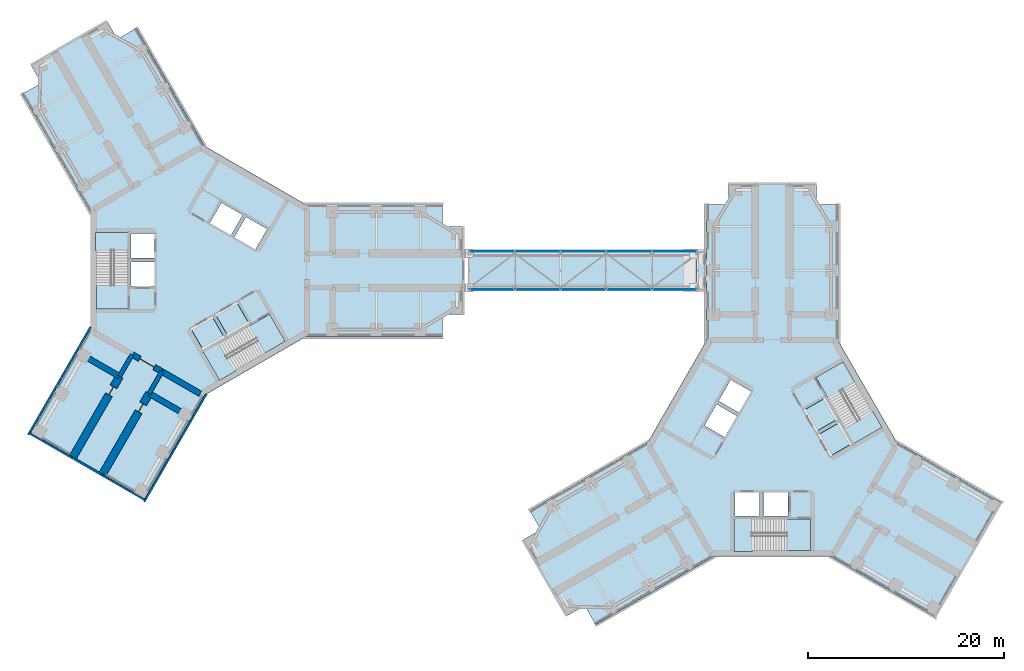
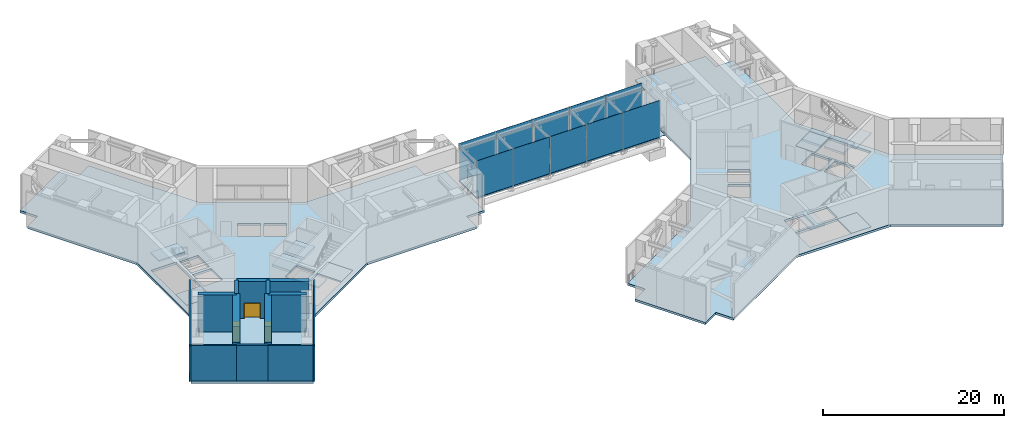
# One storey, part 6 of 15: 16 slabs, 13 walls, 10 plates, 3 doors, 3 openings, 6 elements without a shape of their own.
"""IFC4 building model written with IfcOpenShell, lengths in metres."""

from ifc_helpers import new_model, si_unit, direction, frame, frame_2d, origin, origin_2d, place, context, subcontext, project, spatial, polyline, rectangle, outline, extrude, material, layer, layer_set, type_object, element, fill, aggregate, save


model = new_model("IFC4")

# Units and contexts
model_context = context("Model", 3, precision=1e-05, world=origin(), true_north=direction((0.0, 1.0)))
body_context = subcontext(model_context, "Body", "Model", "MODEL_VIEW")
ifc_project = project(units=[si_unit("LENGTHUNIT", "METRE"), si_unit("AREAUNIT", "SQUARE_METRE"), si_unit("VOLUMEUNIT", "CUBIC_METRE"), si_unit("PLANEANGLEUNIT", "RADIAN"), si_unit("MASSUNIT", "GRAM", prefix="KILO")], contexts=[model_context])

# Site, building, storey
site_placement = place(None, origin())
site = spatial("IfcSite", under=ifc_project, at=site_placement, CompositionType="ELEMENT")
building_placement = place(site_placement, origin())
building = spatial("IfcBuilding", under=site, at=building_placement, Name="Upepo Twin Towers", CompositionType="ELEMENT")
storey_placement = place(building_placement, frame((0.0, 0.0, 165.5)))
storey = spatial("IfcBuildingStorey", under=building, at=storey_placement, Name="L40", CompositionType="ELEMENT", Elevation=165.5)

# Slab
ifc_material_1 = material(Name="Concrete C40/50 on steel deck", Category="concrete")
ifc_layer_1 = layer(ifc_material_1, 0.199951171875)
ifc_layer_set_1 = layer_set([ifc_layer_1], Name="Concrete C40/50 on steel deck")
slab_type_1 = type_object("IfcSlabType", Name="Bridge deck 200 composite", PredefinedType="FLOOR", material=ifc_layer_set_1)
slab_1_placement = place(storey_placement, frame((0.0, 0.0, -0.199951171875)))
element("IfcSlab", 1, at=slab_1_placement, inside=storey, type_object=slab_type_1, Name="BR2 deck slab", PredefinedType="FLOOR", context=body_context, shape_type="SweptSolid", body=[
    extrude(outline(polyline([(27.5, -2.0), (50.840087890625, -2.0), (50.840087890625, 2.0), (27.5, 2.0), (27.5, -2.0)])), origin(), (0.0, 0.0, 1.0), 0.199951171875),
])

# Curtain wall, plates
ifc_material_2 = material(Name="Aluminium and clear glass", Category="aluminium")
curtain_wall_type = type_object("IfcCurtainWallType", Name="Bridge curtain wall BW1", PredefinedType="NOTDEFINED", material=ifc_material_2)
curtain_wall_1_placement = place(storey_placement, origin())
curtain_wall_1 = element("IfcCurtainWall", 2, at=curtain_wall_1_placement, inside=storey, type_object=curtain_wall_type, Name="BR2 curtain wall N", PredefinedType="NOTDEFINED")
ifc_material_3 = material(Name="Clear laminated glass", Category="glass")
ifc_layer_2 = layer(ifc_material_3, 0.028076171875)
ifc_layer_set_2 = layer_set([ifc_layer_2], Name="Clear glass panel, 28 mm double glazed")
plate_type = type_object("IfcPlateType", Name="Clear glass panel, 28 mm double glazed", PredefinedType="CURTAIN_PANEL", material=ifc_layer_set_2)
plate_1_placement = place(storey_placement, frame((48.48974609375, 1.93994140625, -0.080078125), z_axis=(0.0, 0.0, 1.0), x_axis=(-1.0, 0.0, 0.0)))
plate_1 = element("IfcPlate", 3, at=plate_1_placement, type_object=plate_type, Name="BR2 curtain wall N panel 1", PredefinedType="CURTAIN_PANEL", context=body_context, shape_type="SweptSolid", body=[
    extrude(rectangle(XDim=4.570556640625, YDim=0.031982421875, at=origin_2d()), origin(), (0.0, 0.0, 1.0), 5.030029296875),
])
plate_2_placement = place(storey_placement, frame((43.837890625, 1.93994140625, -0.080078125), z_axis=(0.0, 0.0, 1.0), x_axis=(-1.0, 0.0, 0.0)))
plate_2 = element("IfcPlate", 4, at=plate_2_placement, type_object=plate_type, Name="BR2 curtain wall N panel 2", PredefinedType="CURTAIN_PANEL", context=body_context, shape_type="SweptSolid", body=[
    extrude(rectangle(XDim=4.60302734375, YDim=0.031982421875, at=origin_2d()), origin(), (0.0, 0.0, 1.0), 5.030029296875),
])
plate_3_placement = place(storey_placement, frame((39.169921875, 1.93994140625, -0.080078125), z_axis=(0.0, 0.0, 1.0), x_axis=(-1.0, 0.0, 0.0)))
plate_3 = element("IfcPlate", 5, at=plate_3_placement, type_object=plate_type, Name="BR2 curtain wall N panel 3", PredefinedType="CURTAIN_PANEL", context=body_context, shape_type="SweptSolid", body=[
    extrude(rectangle(XDim=4.60302734375, YDim=0.031982421875, at=origin_2d()), origin(), (0.0, 0.0, 1.0), 5.030029296875),
])
plate_4_placement = place(storey_placement, frame((34.501953125, 1.93994140625, -0.080078125), z_axis=(0.0, 0.0, 1.0), x_axis=(-1.0, 0.0, 0.0)))
plate_4 = element("IfcPlate", 6, at=plate_4_placement, type_object=plate_type, Name="BR2 curtain wall N panel 4", PredefinedType="CURTAIN_PANEL", context=body_context, shape_type="SweptSolid", body=[
    extrude(rectangle(XDim=4.60302734375, YDim=0.031982421875, at=origin_2d()), origin(), (0.0, 0.0, 1.0), 5.030029296875),
])
plate_5_placement = place(storey_placement, frame((29.850341796875, 1.93994140625, -0.080078125), z_axis=(0.0, 0.0, 1.0), x_axis=(-1.0, 0.0, 0.0)))
plate_5 = element("IfcPlate", 7, at=plate_5_placement, type_object=plate_type, Name="BR2 curtain wall N panel 5", PredefinedType="CURTAIN_PANEL", context=body_context, shape_type="SweptSolid", body=[
    extrude(rectangle(XDim=4.570556640625, YDim=0.031982421875, at=origin_2d()), origin(), (0.0, 0.0, 1.0), 5.030029296875),
])
aggregate(curtain_wall_1, [plate_1, plate_2, plate_3, plate_4, plate_5])

curtain_wall_2_placement = place(storey_placement, origin())
curtain_wall_2 = element("IfcCurtainWall", 8, at=curtain_wall_2_placement, inside=storey, type_object=curtain_wall_type, Name="BR2 curtain wall S", PredefinedType="NOTDEFINED")
plate_6_placement = place(storey_placement, frame((29.850341796875, -1.93994140625, -0.080078125), z_axis=(0.0, 0.0, 1.0), x_axis=(1.0, 0.0, 0.0)))
plate_6 = element("IfcPlate", 9, at=plate_6_placement, type_object=plate_type, Name="BR2 curtain wall S panel 1", PredefinedType="CURTAIN_PANEL", context=body_context, shape_type="SweptSolid", body=[
    extrude(rectangle(XDim=4.570556640625, YDim=0.031982421875, at=origin_2d()), origin(), (0.0, 0.0, 1.0), 5.030029296875),
])
plate_7_placement = place(storey_placement, frame((34.501953125, -1.93994140625, -0.080078125), z_axis=(0.0, 0.0, 1.0), x_axis=(1.0, 0.0, 0.0)))
plate_7 = element("IfcPlate", 10, at=plate_7_placement, type_object=plate_type, Name="BR2 curtain wall S panel 2", PredefinedType="CURTAIN_PANEL", context=body_context, shape_type="SweptSolid", body=[
    extrude(rectangle(XDim=4.60302734375, YDim=0.031982421875, at=origin_2d()), origin(), (0.0, 0.0, 1.0), 5.030029296875),
])
plate_8_placement = place(storey_placement, frame((39.169921875, -1.93994140625, -0.080078125), z_axis=(0.0, 0.0, 1.0), x_axis=(1.0, 0.0, 0.0)))
plate_8 = element("IfcPlate", 11, at=plate_8_placement, type_object=plate_type, Name="BR2 curtain wall S panel 3", PredefinedType="CURTAIN_PANEL", context=body_context, shape_type="SweptSolid", body=[
    extrude(rectangle(XDim=4.60302734375, YDim=0.031982421875, at=origin_2d()), origin(), (0.0, 0.0, 1.0), 5.030029296875),
])
plate_9_placement = place(storey_placement, frame((43.837890625, -1.93994140625, -0.080078125), z_axis=(0.0, 0.0, 1.0), x_axis=(1.0, 0.0, 0.0)))
plate_9 = element("IfcPlate", 12, at=plate_9_placement, type_object=plate_type, Name="BR2 curtain wall S panel 4", PredefinedType="CURTAIN_PANEL", context=body_context, shape_type="SweptSolid", body=[
    extrude(rectangle(XDim=4.60302734375, YDim=0.031982421875, at=origin_2d()), origin(), (0.0, 0.0, 1.0), 5.030029296875),
])
plate_10_placement = place(storey_placement, frame((48.48974609375, -1.93994140625, -0.080078125), z_axis=(0.0, 0.0, 1.0), x_axis=(1.0, 0.0, 0.0)))
plate_10 = element("IfcPlate", 13, at=plate_10_placement, type_object=plate_type, Name="BR2 curtain wall S panel 5", PredefinedType="CURTAIN_PANEL", context=body_context, shape_type="SweptSolid", body=[
    extrude(rectangle(XDim=4.570556640625, YDim=0.031982421875, at=origin_2d()), origin(), (0.0, 0.0, 1.0), 5.030029296875),
])
aggregate(curtain_wall_2, [plate_6, plate_7, plate_8, plate_9, plate_10])

# Slabs
ifc_material_4 = material(Name="Steel chequer plate S275", Category="steel")
ifc_layer_3 = layer(ifc_material_4, 0.02001953125)
ifc_layer_set_3 = layer_set([ifc_layer_3], Name="Steel chequer plate S275")
slab_type_2 = type_object("IfcSlabType", Name="Expansion joint cover plate 20 steel", PredefinedType="USERDEFINED", material=ifc_layer_set_3)
slab_2_placement = place(storey_placement, origin())
element("IfcSlab", 14, at=slab_2_placement, inside=storey, type_object=slab_type_2, Name="BR2 movement joint cover plate at T2", ObjectType="COVER PLATE", PredefinedType="USERDEFINED", context=body_context, shape_type="SweptSolid", body=[
    extrude(outline(polyline([(50.68994140625, -1.949951171875), (51.544921875, -1.949951171875), (51.544921875, 1.949951171875), (50.68994140625, 1.949951171875), (50.68994140625, -1.949951171875)])), origin(), (0.0, 0.0, 1.0), 0.02001953125),
])
ifc_material_5 = material(Name="Concrete C40/50", Category="concrete")
ifc_layer_4 = layer(ifc_material_5, 0.300048828125)
ifc_layer_set_4 = layer_set([ifc_layer_4], Name="Concrete C40/50")
slab_type_3 = type_object("IfcSlabType", Name="Lift pit base 300 RC", PredefinedType="USERDEFINED", material=ifc_layer_set_4)
slab_3_placement = place(storey_placement, frame((0.0, 0.0, 3.10009765625)))
element("IfcSlab", 15, at=slab_3_placement, inside=storey, type_object=slab_type_3, Name="T1 lift UL1 pit base", ObjectType="LIFT PIT BASE", PredefinedType="USERDEFINED", context=body_context, shape_type="SweptSolid", body=[
    extrude(outline(polyline([(-0.94091796875, -5.97021484375), (0.259033203125, -8.048828125), (2.424072265625, -6.798828125), (1.22412109375, -4.72021484375), (-0.94091796875, -5.97021484375)])), origin(), (0.0, 0.0, 1.0), 0.2998046875),
])
slab_4_placement = place(storey_placement, frame((0.0, 0.0, 3.10009765625)))
element("IfcSlab", 16, at=slab_4_placement, inside=storey, type_object=slab_type_3, Name="T1 lift UL2 pit base", ObjectType="LIFT PIT BASE", PredefinedType="USERDEFINED", context=body_context, shape_type="SweptSolid", body=[
    extrude(outline(polyline([(1.570556640625, -4.520263671875), (2.7705078125, -6.598876953125), (4.935546875, -5.348876953125), (3.735595703125, -3.270263671875), (1.570556640625, -4.520263671875)])), origin(), (0.0, 0.0, 1.0), 0.2998046875),
])
slab_5_placement = place(storey_placement, frame((0.0, 0.0, 3.10009765625)))
element("IfcSlab", 17, at=slab_5_placement, inside=storey, type_object=slab_type_3, Name="T2 lift UL1 pit base", ObjectType="LIFT PIT BASE", PredefinedType="USERDEFINED", context=body_context, shape_type="SweptSolid", body=[
    extrude(outline(polyline([(64.47021484375, -18.94091796875), (66.548828125, -17.740966796875), (65.298828125, -15.575927734375), (63.22021484375, -16.77587890625), (64.47021484375, -18.94091796875)])), origin(), (0.0, 0.0, 1.0), 0.2998046875),
])
slab_6_placement = place(storey_placement, frame((0.0, 0.0, 3.10009765625)))
element("IfcSlab", 18, at=slab_6_placement, inside=storey, type_object=slab_type_3, Name="T2 lift UL2 pit base", ObjectType="LIFT PIT BASE", PredefinedType="USERDEFINED", context=body_context, shape_type="SweptSolid", body=[
    extrude(outline(polyline([(63.020263671875, -16.429443359375), (65.098876953125, -15.2294921875), (63.848876953125, -13.064453125), (61.770263671875, -14.264404296875), (63.020263671875, -16.429443359375)])), origin(), (0.0, 0.0, 1.0), 0.2998046875),
])
ifc_material_6 = material(Name="Concrete C40/50", Category="concrete")
ifc_layer_5 = layer(ifc_material_6, 0.300048828125)
ifc_layer_set_5 = layer_set([ifc_layer_5], Name="Concrete C40/50")
slab_type_4 = type_object("IfcSlabType", Name="Refuge and plant floor slab 300 RC", PredefinedType="FLOOR", material=ifc_layer_set_5)
slab_7_placement = place(storey_placement, frame((0.0, 0.0, -0.300048828125)))
element("IfcSlab", 19, at=slab_7_placement, inside=storey, type_object=slab_type_4, Name="T1 L40 floor slab", PredefinedType="FLOOR", context=body_context, shape_type="SweptSolid", body=[
    extrude(outline(polyline([(-17.470703125, -16.760009765625), (-11.25830078125, -6.0), (-11.25830078125, 6.0), (-18.220703125, 18.05908203125), (-16.272216796875, 19.18408203125), (-17.397216796875, 21.132568359375), (-9.602783203125, 25.632568359375), (-8.477783203125, 23.68408203125), (-6.529296875, 24.80908203125), (0.43310546875, 12.75), (10.825439453125, 6.75), (24.75, 6.75), (24.75, 4.5), (27.0, 4.5), (27.0, -4.5), (24.75, -4.5), (24.75, -6.75), (10.825439453125, -6.75), (0.43310546875, -12.75), (-5.779296875, -23.510009765625), (-17.470703125, -16.760009765625)]), holes=[polyline([(5.640869140625, 2.17041015625), (6.8408203125, 4.248779296875), (4.67578125, 5.498779296875), (3.475830078125, 3.42041015625), (5.640869140625, 2.17041015625)]), polyline([(3.12939453125, 3.620361328125), (4.329345703125, 5.69873046875), (2.164306640625, 6.94873046875), (0.96435546875, 4.870361328125), (3.12939453125, 3.620361328125)]), polyline([(-4.699951171875, 3.800048828125), (-7.10009765625, 3.800048828125), (-7.10009765625, 1.300048828125), (-4.699951171875, 1.300048828125), (-4.699951171875, 3.800048828125)]), polyline([(-4.699951171875, 0.89990234375), (-7.10009765625, 0.89990234375), (-7.10009765625, -1.60009765625), (-4.699951171875, -1.60009765625), (-4.699951171875, 0.89990234375)]), polyline([(-7.39990234375, 3.89990234375), (-10.6083984375, 3.89990234375), (-10.6083984375, -3.89990234375), (-7.39990234375, -3.89990234375), (-7.39990234375, 3.89990234375)]), polyline([(-0.94091796875, -5.97021484375), (0.259033203125, -8.048828125), (2.424072265625, -6.798828125), (1.22412109375, -4.72021484375), (-0.94091796875, -5.97021484375)]), polyline([(1.570556640625, -4.520263671875), (2.7705078125, -6.598876953125), (4.935546875, -5.348876953125), (3.735595703125, -3.270263671875), (1.570556640625, -4.520263671875)]), polyline([(0.322509765625, -8.358642578125), (1.9267578125, -11.136962890625), (8.681640625, -7.237060546875), (7.077392578125, -4.45849609375), (0.322509765625, -8.358642578125)])]), origin(), (0.0, 0.0, 1.0), 0.300048828125),
])
slab_8_placement = place(storey_placement, frame((0.0, 0.0, -0.300048828125)))
element("IfcSlab", 20, at=slab_8_placement, inside=storey, type_object=slab_type_4, Name="T2 L40 floor slab", PredefinedType="FLOOR", context=body_context, shape_type="SweptSolid", body=[
    extrude(outline(polyline([(75.260009765625, -35.470703125), (64.5, -29.25830078125), (52.5, -29.25830078125), (40.44091796875, -36.220703125), (39.31591796875, -34.272216796875), (37.367431640625, -35.397216796875), (32.867431640625, -27.602783203125), (34.81591796875, -26.477783203125), (33.69091796875, -24.529296875), (45.75, -17.56689453125), (51.75, -7.174560546875), (51.75, 6.75), (54.0, 6.75), (54.0, 9.0), (63.0, 9.0), (63.0, 6.75), (65.25, 6.75), (65.25, -7.174560546875), (71.25, -17.56689453125), (82.010009765625, -23.779296875), (75.260009765625, -35.470703125)]), holes=[polyline([(56.32958984375, -12.359130859375), (54.251220703125, -11.1591796875), (53.001220703125, -13.32421875), (55.07958984375, -14.524169921875), (56.32958984375, -12.359130859375)]), polyline([(54.879638671875, -14.87060546875), (52.80126953125, -13.670654296875), (51.55126953125, -15.835693359375), (53.629638671875, -17.03564453125), (54.879638671875, -14.87060546875)]), polyline([(54.699951171875, -22.699951171875), (54.699951171875, -25.10009765625), (57.199951171875, -25.10009765625), (57.199951171875, -22.699951171875), (54.699951171875, -22.699951171875)]), polyline([(57.60009765625, -22.699951171875), (57.60009765625, -25.10009765625), (60.10009765625, -25.10009765625), (60.10009765625, -22.699951171875), (57.60009765625, -22.699951171875)]), polyline([(54.60009765625, -25.39990234375), (54.60009765625, -28.6083984375), (62.39990234375, -28.6083984375), (62.39990234375, -25.39990234375), (54.60009765625, -25.39990234375)]), polyline([(64.47021484375, -18.94091796875), (66.548828125, -17.740966796875), (65.298828125, -15.575927734375), (63.22021484375, -16.77587890625), (64.47021484375, -18.94091796875)]), polyline([(63.020263671875, -16.429443359375), (65.098876953125, -15.2294921875), (63.848876953125, -13.064453125), (61.770263671875, -14.264404296875), (63.020263671875, -16.429443359375)]), polyline([(66.858642578125, -17.677490234375), (69.636962890625, -16.0732421875), (65.737060546875, -9.318359375), (62.95849609375, -10.922607421875), (66.858642578125, -17.677490234375)])]), origin(), (0.0, 0.0, 1.0), 0.300048828125),
])

# Stair, slabs
ifc_material_7 = material(Name="Concrete C40/50", Category="concrete")
stair_type = type_object("IfcStairType", Name="Core stair, two flights", PredefinedType="HALF_TURN_STAIR", material=ifc_material_7)
stair_1_placement = place(storey_placement, origin())
stair_1 = element("IfcStair", 21, at=stair_1_placement, inside=storey, type_object=stair_type, Name="T1 stair S1 L40", PredefinedType="HALF_TURN_STAIR")
ifc_material_8 = material(Name="Concrete C40/50", Category="concrete")
ifc_layer_6 = layer(ifc_material_8, 0.199951171875)
ifc_layer_set_6 = layer_set([ifc_layer_6], Name="Concrete C40/50")
slab_type_5 = type_object("IfcSlabType", Name="Stair landing 200 RC", PredefinedType="LANDING", material=ifc_layer_set_6)
slab_9_placement = place(storey_placement, frame((0.0, 0.0, -0.199951171875)))
slab_9 = element("IfcSlab", 22, at=slab_9_placement, type_object=slab_type_5, Name="Stair S1 landing 1", PredefinedType="LANDING", context=body_context, shape_type="SweptSolid", body=[
    extrude(outline(polyline([(-7.39990234375, -1.419921875), (-10.6083984375, -1.419921875), (-10.6083984375, -3.89990234375), (-7.39990234375, -3.89990234375), (-7.39990234375, -1.419921875)])), origin(), (0.0, 0.0, 1.0), 0.199951171875),
])
slab_10_placement = place(storey_placement, frame((0.0, 0.0, 2.300048828125)))
slab_10 = element("IfcSlab", 23, at=slab_10_placement, type_object=slab_type_5, Name="Stair S1 landing 2", PredefinedType="LANDING", context=body_context, shape_type="SweptSolid", body=[
    extrude(outline(polyline([(-7.300048828125, 3.89990234375), (-10.708251953125, 3.89990234375), (-10.708251953125, 2.02001953125), (-7.300048828125, 2.02001953125), (-7.300048828125, 3.89990234375)])), origin(), (0.0, 0.0, 1.0), 0.199951171875),
])
aggregate(stair_1, [slab_9, slab_10])

stair_2_placement = place(storey_placement, origin())
stair_2 = element("IfcStair", 24, at=stair_2_placement, inside=storey, type_object=stair_type, Name="T1 stair S2 L40", PredefinedType="HALF_TURN_STAIR")
slab_11_placement = place(storey_placement, frame((0.0, 0.0, -0.199951171875)))
slab_11 = element("IfcSlab", 25, at=slab_11_placement, type_object=slab_type_5, Name="Stair S2 landing 1", PredefinedType="LANDING", context=body_context, shape_type="SweptSolid", body=[
    extrude(outline(polyline([(4.9296875, -5.698486328125), (6.533935546875, -8.47705078125), (8.681640625, -7.237060546875), (7.077392578125, -4.45849609375), (4.9296875, -5.698486328125)])), origin(), (0.0, 0.0, 1.0), 0.199951171875),
])
slab_12_placement = place(storey_placement, frame((0.0, 0.0, 2.300048828125)))
slab_12 = element("IfcSlab", 26, at=slab_12_placement, type_object=slab_type_5, Name="Stair S2 landing 2", PredefinedType="LANDING", context=body_context, shape_type="SweptSolid", body=[
    extrude(outline(polyline([(0.2724609375, -8.27197265625), (1.9765625, -11.2236328125), (3.604736328125, -10.28369140625), (1.900634765625, -7.33203125), (0.2724609375, -8.27197265625)])), origin(), (0.0, 0.0, 1.0), 0.199951171875),
])
aggregate(stair_2, [slab_11, slab_12])

stair_3_placement = place(storey_placement, origin())
stair_3 = element("IfcStair", 27, at=stair_3_placement, inside=storey, type_object=stair_type, Name="T2 stair S1 L40", PredefinedType="HALF_TURN_STAIR")
slab_13_placement = place(storey_placement, frame((0.0, 0.0, -0.199951171875)))
slab_13 = element("IfcSlab", 28, at=slab_13_placement, type_object=slab_type_5, Name="Stair S1 landing 1", PredefinedType="LANDING", context=body_context, shape_type="SweptSolid", body=[
    extrude(outline(polyline([(59.919921875, -25.39990234375), (59.919921875, -28.6083984375), (62.39990234375, -28.6083984375), (62.39990234375, -25.39990234375), (59.919921875, -25.39990234375)])), origin(), (0.0, 0.0, 1.0), 0.199951171875),
])
slab_14_placement = place(storey_placement, frame((0.0, 0.0, 2.300048828125)))
slab_14 = element("IfcSlab", 29, at=slab_14_placement, type_object=slab_type_5, Name="Stair S1 landing 2", PredefinedType="LANDING", context=body_context, shape_type="SweptSolid", body=[
    extrude(outline(polyline([(54.60009765625, -25.300048828125), (54.60009765625, -28.708251953125), (56.47998046875, -28.708251953125), (56.47998046875, -25.300048828125), (54.60009765625, -25.300048828125)])), origin(), (0.0, 0.0, 1.0), 0.199951171875),
])
aggregate(stair_3, [slab_13, slab_14])

stair_4_placement = place(storey_placement, origin())
stair_4 = element("IfcStair", 30, at=stair_4_placement, inside=storey, type_object=stair_type, Name="T2 stair S2 L40", PredefinedType="HALF_TURN_STAIR")
slab_15_placement = place(storey_placement, frame((0.0, 0.0, -0.199951171875)))
slab_15 = element("IfcSlab", 31, at=slab_15_placement, type_object=slab_type_5, Name="Stair S2 landing 1", PredefinedType="LANDING", context=body_context, shape_type="SweptSolid", body=[
    extrude(outline(polyline([(64.198486328125, -13.0703125), (66.97705078125, -11.466064453125), (65.737060546875, -9.318359375), (62.95849609375, -10.922607421875), (64.198486328125, -13.0703125)])), origin(), (0.0, 0.0, 1.0), 0.199951171875),
])
slab_16_placement = place(storey_placement, frame((0.0, 0.0, 2.300048828125)))
slab_16 = element("IfcSlab", 32, at=slab_16_placement, type_object=slab_type_5, Name="Stair S2 landing 2", PredefinedType="LANDING", context=body_context, shape_type="SweptSolid", body=[
    extrude(outline(polyline([(66.77197265625, -17.7275390625), (69.7236328125, -16.0234375), (68.78369140625, -14.395263671875), (65.83203125, -16.099365234375), (66.77197265625, -17.7275390625)])), origin(), (0.0, 0.0, 1.0), 0.199951171875),
])
aggregate(stair_4, [slab_15, slab_16])

# Walls
ifc_material_9 = material(Name="Precast concrete breeze blocks", Category="concrete")
ifc_layer_7 = layer(ifc_material_9, 0.199951171875)
ifc_layer_set_7 = layer_set([ifc_layer_7], Name="Breeze-block screen wall 200")
wall_type_1 = type_object("IfcWallType", Name="Breeze-block screen wall 200", PredefinedType="USERDEFINED", material=ifc_layer_set_7)
for number, where, z_axis, x_axis, name in (
    (33, (0.638671875, -12.59375, 0.0), (0.0, 0.0, 1.0), (-0.499994566336, -0.866028540889, 0.0), "T1 L40 wing C screen L"),
    (34, (-17.607177734375, -16.796630859375, 0.0), (0.0, 0.0, 1.0), (0.499994566336, 0.866028540889, 0.0), "T1 L40 wing C screen R"),
):
    element("IfcWall", number, at=place(storey_placement, frame(where, z_axis=z_axis, x_axis=x_axis)), inside=storey, type_object=wall_type_1, Name=name, ObjectType="SCREEN", PredefinedType="USERDEFINED", context=body_context, shape_type="SweptSolid", body=[
        extrude(rectangle(XDim=12.762939453125, YDim=0.199951171875, at=frame_2d((6.38134765625, 0.0))), origin(), (0.0, 0.0, 1.0), 4.800048828125),
    ])
wall_1_placement = place(storey_placement, frame((-17.593994140625, -16.573486328125, 0.0), z_axis=(0.0, 0.0, 1.0), x_axis=(0.866021400173, -0.500006934395, 0.0)))
element("IfcWall", 35, at=wall_1_placement, inside=storey, type_object=wall_type_1, Name="T1 L40 wing C nose screen 0", ObjectType="SCREEN", PredefinedType="USERDEFINED", context=body_context, shape_type="SweptSolid", body=[
    extrude(rectangle(XDim=5.2001953125, YDim=0.199951171875, at=frame_2d((2.60009765625, 0.0))), origin(), (0.0, 0.0, 1.0), 4.800048828125),
])
wall_2_placement = place(storey_placement, frame((-10.0595703125, -20.923583984375, 0.0), z_axis=(0.0, 0.0, 1.0), x_axis=(0.866041729639, -0.499971721724, 0.0)))
element("IfcWall", 36, at=wall_2_placement, inside=storey, type_object=wall_type_1, Name="T1 L40 wing C nose screen 2", ObjectType="SCREEN", PredefinedType="USERDEFINED", context=body_context, shape_type="SweptSolid", body=[
    extrude(rectangle(XDim=5.199951171875, YDim=0.199951171875, at=frame_2d((2.60009765625, 0.0))), origin(), (0.0, 0.0, 1.0), 4.800048828125),
])
ifc_material_10 = material(Name="Concrete C60/75", Category="concrete")
ifc_layer_8 = layer(ifc_material_10, 0.449951171875)
ifc_layer_set_8 = layer_set([ifc_layer_8], Name="Concrete C60/75")
wall_type_2 = type_object("IfcWallType", Name="Buttress wall 450 RC", PredefinedType="SHEAR", material=ifc_layer_set_8)
for number, where, z_axis, x_axis, name in (
    (37, (-3.938720703125, -10.32177734375, 0.0), (0.0, 0.0, 1.0), (-0.499918158782, -0.866072649678, 0.0), "T1 wing C buttress wall L"),
    (38, (-6.9697265625, -8.57177734375, 0.0), (0.0, 0.0, 1.0), (-0.499988811324, -0.866031863473, 0.0), "T1 wing C buttress wall R"),
):
    element("IfcWall", number, at=place(storey_placement, frame(where, z_axis=z_axis, x_axis=x_axis)), inside=storey, type_object=wall_type_2, Name=name, PredefinedType="SHEAR", context=body_context, shape_type="SweptSolid", body=[
        extrude(rectangle(XDim=2.591796875, YDim=0.449951171875, at=frame_2d((1.2958984375, 0.0))), origin(), (0.0, 0.0, 1.0), 5.0),
    ])

# Wall, opening, door
ifc_material_11 = material(Name="Concrete C60/75", Category="concrete")
ifc_layer_9 = layer(ifc_material_11, 0.800048828125)
ifc_layer_set_9 = layer_set([ifc_layer_9], Name="Concrete C60/75")
wall_type_3 = type_object("IfcWallType", Name="Buttress wall 800 RC", PredefinedType="SHEAR", material=ifc_layer_set_9)
wall_3_placement = place(storey_placement, frame((-5.234375, -12.56640625, 0.0), z_axis=(0.0, 0.0, 1.0), x_axis=(-0.499997557548, -0.86602681393, 0.0)))
wall_3 = element("IfcWall", 39, at=wall_3_placement, inside=storey, type_object=wall_type_3, Name="T1 wing C buttress wall L part 2", PredefinedType="SHEAR", context=body_context, shape_type="SweptSolid", body=[
    extrude(rectangle(XDim=9.5, YDim=0.800048828125, at=frame_2d((4.75, 0.0))), origin(), (0.0, 0.0, 1.0), 5.0),
])
opening_1_placement = place(wall_3_placement, frame((1.199951171875, 0.0, 0.0)))
opening_1 = element("IfcOpeningElement", 40, at=opening_1_placement, cuts=wall_3, Name="Opening D1", PredefinedType="OPENING", context=body_context, shape_type="SweptSolid", body=[
    extrude(rectangle(XDim=1.0, YDim=2.10009765625, at=frame_2d((0.5, 1.050048828125))), frame((0.0, 0.409912109375, 0.0), z_axis=(0.0, -1.0, 0.0), x_axis=(1.0, 0.0, 0.0)), (0.0, 0.0, 1.0), 0.820068359375),
])
ifc_material_12 = material(Name="Timber doorset", Category="wood")
door_type_1 = type_object("IfcDoorType", Name="Room door 1000 FD30", OperationType="SINGLE_SWING_LEFT", PredefinedType="DOOR", material=ifc_material_12)
door_1_placement = place(opening_1_placement, origin())
door_1 = element("IfcDoor", 41, at=door_1_placement, inside=storey, type_object=door_type_1, Name="T1 L40 refuge area door", OperationType="SINGLE_SWING_LEFT", OverallHeight=2.10009765625, OverallWidth=1.0, PredefinedType="DOOR", context=body_context, shape_type="SweptSolid", body=[
    extrude(rectangle(XDim=0.92, YDim=2.06009765625, at=frame_2d((0.5, 1.030029296875))), frame((0.0, 0.02490234375, 0.0), z_axis=(0.0, -1.0, 0.0), x_axis=(1.0, 0.0, 0.0)), (0.0, 0.0, 1.0), 0.050048828125),
    extrude(rectangle(XDim=0.04, YDim=2.10009765625, at=frame_2d((0.02001953125, 1.050048828125))), frame((0.0, 0.39990234375, 0.0), z_axis=(0.0, -1.0, 0.0), x_axis=(1.0, 0.0, 0.0)), (0.0, 0.0, 1.0), 0.799560546875),
    extrude(rectangle(XDim=0.04, YDim=2.10009765625, at=frame_2d((0.97998046875, 1.050048828125))), frame((0.0, 0.39990234375, 0.0), z_axis=(0.0, -1.0, 0.0), x_axis=(1.0, 0.0, 0.0)), (0.0, 0.0, 1.0), 0.799560546875),
    extrude(rectangle(XDim=0.92, YDim=0.04, at=frame_2d((0.5, 2.080078125))), frame((0.0, 0.39990234375, 0.0), z_axis=(0.0, -1.0, 0.0), x_axis=(1.0, 0.0, 0.0)), (0.0, 0.0, 1.0), 0.799560546875),
])
fill(opening_1, door_1)

wall_4_placement = place(storey_placement, frame((-8.265625, -10.81640625, 0.0), z_axis=(0.0, 0.0, 1.0), x_axis=(-0.499997557548, -0.86602681393, 0.0)))
wall_4 = element("IfcWall", 42, at=wall_4_placement, inside=storey, type_object=wall_type_3, Name="T1 wing C buttress wall R part 2", PredefinedType="SHEAR", context=body_context, shape_type="SweptSolid", body=[
    extrude(rectangle(XDim=9.5, YDim=0.800048828125, at=frame_2d((4.75, 0.0))), origin(), (0.0, 0.0, 1.0), 5.0),
])
opening_2_placement = place(wall_4_placement, frame((1.199951171875, 0.0, 0.0)))
opening_2 = element("IfcOpeningElement", 43, at=opening_2_placement, cuts=wall_4, Name="Opening D1", PredefinedType="OPENING", context=body_context, shape_type="SweptSolid", body=[
    extrude(rectangle(XDim=1.0, YDim=2.10009765625, at=frame_2d((0.5, 1.050048828125))), frame((0.0, 0.409912109375, 0.0), z_axis=(0.0, -1.0, 0.0), x_axis=(1.0, 0.0, 0.0)), (0.0, 0.0, 1.0), 0.820068359375),
])
door_2_placement = place(opening_2_placement, origin())
door_2 = element("IfcDoor", 44, at=door_2_placement, inside=storey, type_object=door_type_1, Name="T1 L40 electrical switch room door", OperationType="SINGLE_SWING_LEFT", OverallHeight=2.10009765625, OverallWidth=1.0, PredefinedType="DOOR", context=body_context, shape_type="SweptSolid", body=[
    extrude(rectangle(XDim=0.92, YDim=2.06009765625, at=frame_2d((0.5, 1.030029296875))), frame((0.0, 0.02490234375, 0.0), z_axis=(0.0, -1.0, 0.0), x_axis=(1.0, 0.0, 0.0)), (0.0, 0.0, 1.0), 0.050048828125),
    extrude(rectangle(XDim=0.04, YDim=2.10009765625, at=frame_2d((0.02001953125, 1.050048828125))), frame((0.0, 0.39990234375, 0.0), z_axis=(0.0, -1.0, 0.0), x_axis=(1.0, 0.0, 0.0)), (0.0, 0.0, 1.0), 0.799560546875),
    extrude(rectangle(XDim=0.04, YDim=2.10009765625, at=frame_2d((0.97998046875, 1.050048828125))), frame((0.0, 0.39990234375, 0.0), z_axis=(0.0, -1.0, 0.0), x_axis=(1.0, 0.0, 0.0)), (0.0, 0.0, 1.0), 0.799560546875),
    extrude(rectangle(XDim=0.92, YDim=0.04, at=frame_2d((0.5, 2.080078125))), frame((0.0, 0.39990234375, 0.0), z_axis=(0.0, -1.0, 0.0), x_axis=(1.0, 0.0, 0.0)), (0.0, 0.0, 1.0), 0.799560546875),
])
fill(opening_2, door_2)

ifc_material_13 = material(Name="Concrete C60/75", Category="concrete")
ifc_layer_10 = layer(ifc_material_13, 0.60009765625)
ifc_layer_set_10 = layer_set([ifc_layer_10], Name="Concrete C60/75")
wall_type_4 = type_object("IfcWallType", Name="Core wall 600 RC", PredefinedType="SHEAR", material=ifc_layer_set_10)
wall_5_placement = place(storey_placement, frame((-6.9697265625, -8.57177734375, 0.0), z_axis=(0.0, 0.0, 1.0), x_axis=(0.866019471182, -0.500010275428, 0.0)))
wall_5 = element("IfcWall", 45, at=wall_5_placement, inside=storey, type_object=wall_type_4, Name="T1 core wall 240", PredefinedType="SHEAR", context=body_context, shape_type="SweptSolid", body=[
    extrude(rectangle(XDim=3.5, YDim=0.60009765625, at=frame_2d((1.75, 0.0))), origin(), (0.0, 0.0, 1.0), 5.0),
])
opening_3_placement = place(wall_5_placement, frame((0.85009765625, 0.0, 0.0)))
opening_3 = element("IfcOpeningElement", 46, at=opening_3_placement, cuts=wall_5, Name="Opening D2", PredefinedType="OPENING", context=body_context, shape_type="SweptSolid", body=[
    extrude(rectangle(XDim=1.800048828125, YDim=2.10009765625, at=frame_2d((0.89990234375, 1.050048828125))), frame((0.0, 0.31005859375, 0.0), z_axis=(0.0, -1.0, 0.0), x_axis=(1.0, 0.0, 0.0)), (0.0, 0.0, 1.0), 0.6201171875),
])
ifc_material_14 = material(Name="Timber doorset", Category="wood")
door_type_2 = type_object("IfcDoorType", Name="Corridor double door 1800 FD60", OperationType="DOUBLE_DOOR_DOUBLE_SWING", PredefinedType="DOOR", material=ifc_material_14)
door_3_placement = place(opening_3_placement, origin())
door_3 = element("IfcDoor", 47, at=door_3_placement, inside=storey, type_object=door_type_2, Name="T1 L40 wing C corridor door", OperationType="DOUBLE_DOOR_DOUBLE_SWING", OverallHeight=2.10009765625, OverallWidth=1.800048828125, PredefinedType="DOOR", context=body_context, shape_type="SweptSolid", body=[
    extrude(rectangle(XDim=1.720048828125, YDim=2.06009765625, at=frame_2d((0.89990234375, 1.030029296875))), frame((0.0, 0.02490234375, 0.0), z_axis=(0.0, -1.0, 0.0), x_axis=(1.0, 0.0, 0.0)), (0.0, 0.0, 1.0), 0.050048828125),
    extrude(rectangle(XDim=0.04, YDim=2.10009765625, at=frame_2d((0.02001953125, 1.050048828125))), frame((0.0, 0.2998046875, 0.0), z_axis=(0.0, -1.0, 0.0), x_axis=(1.0, 0.0, 0.0)), (0.0, 0.0, 1.0), 0.599609375),
    extrude(rectangle(XDim=0.04, YDim=2.10009765625, at=frame_2d((1.780029296875, 1.050048828125))), frame((0.0, 0.2998046875, 0.0), z_axis=(0.0, -1.0, 0.0), x_axis=(1.0, 0.0, 0.0)), (0.0, 0.0, 1.0), 0.599609375),
    extrude(rectangle(XDim=1.720048828125, YDim=0.04, at=frame_2d((0.89990234375, 2.080078125))), frame((0.0, 0.2998046875, 0.0), z_axis=(0.0, -1.0, 0.0), x_axis=(1.0, 0.0, 0.0)), (0.0, 0.0, 1.0), 0.599609375),
])
fill(opening_3, door_3)

# Walls
wall_6_placement = place(storey_placement, frame((-3.938720703125, -10.32177734375, 0.0), z_axis=(0.0, 0.0, 1.0), x_axis=(0.866011268655, -0.500024481964, 0.0)))
element("IfcWall", 48, at=wall_6_placement, inside=storey, type_object=wall_type_4, Name="T1 core wall 240 L", PredefinedType="SHEAR", context=body_context, shape_type="SweptSolid", body=[
    extrude(rectangle(XDim=4.548095703125, YDim=0.60009765625, at=frame_2d((2.27392578125, 0.0))), origin(), (0.0, 0.0, 1.0), 5.0),
])
ifc_material_15 = material(Name="Blockwork with anodised aluminium cladding", Category="masonry")
ifc_layer_11 = layer(ifc_material_15, 0.25)
ifc_layer_set_11 = layer_set([ifc_layer_11], Name="Notch cladding wall 250, pale metal")
wall_type_5 = type_object("IfcWallType", Name="Notch cladding wall 250, pale metal", PredefinedType="STANDARD", material=ifc_layer_set_11)
wall_7_placement = place(storey_placement, frame((-13.078125, -19.15185546875, 0.0), z_axis=(0.0, 0.0, 1.0), x_axis=(0.866036909293, -0.499980071345, 0.0)))
element("IfcWall", 49, at=wall_7_placement, inside=storey, type_object=wall_type_5, Name="T1 L40 wing C nose wall", PredefinedType="STANDARD", context=body_context, shape_type="SweptSolid", body=[
    extrude(rectangle(XDim=3.500244140625, YDim=0.25, at=frame_2d((1.75, 0.0))), origin(), (0.0, 0.0, 1.0), 4.800048828125),
])
ifc_material_16 = material(Name="Concrete C60/75", Category="concrete")
ifc_layer_12 = layer(ifc_material_16, 0.60009765625)
ifc_layer_set_12 = layer_set([ifc_layer_12], Name="Concrete C60/75")
wall_type_6 = type_object("IfcWallType", Name="Outrigger wall 600 RC", PredefinedType="SHEAR", material=ifc_layer_set_12)
for number, where, z_axis, x_axis, name in (
    (50, (-5.234375, -12.56640625, 0.0), (0.0, 0.0, 1.0), (0.866014341725, -0.50001915956, 0.0), "T1 outrigger wall CL"),
    (51, (-8.265625, -10.81640625, 0.0), (0.0, 0.0, 1.0), (-0.866014341725, 0.50001915956, 0.0), "T1 outrigger wall CR"),
):
    element("IfcWall", number, at=place(storey_placement, frame(where, z_axis=z_axis, x_axis=x_axis)), inside=storey, type_object=wall_type_6, Name=name, PredefinedType="SHEAR", context=body_context, shape_type="SweptSolid", body=[
        extrude(rectangle(XDim=4.249755859375, YDim=0.60009765625, at=frame_2d((2.125, 0.0))), origin(), (0.0, 0.0, 1.0), 5.0),
    ])

save(model, "model.ifc")
